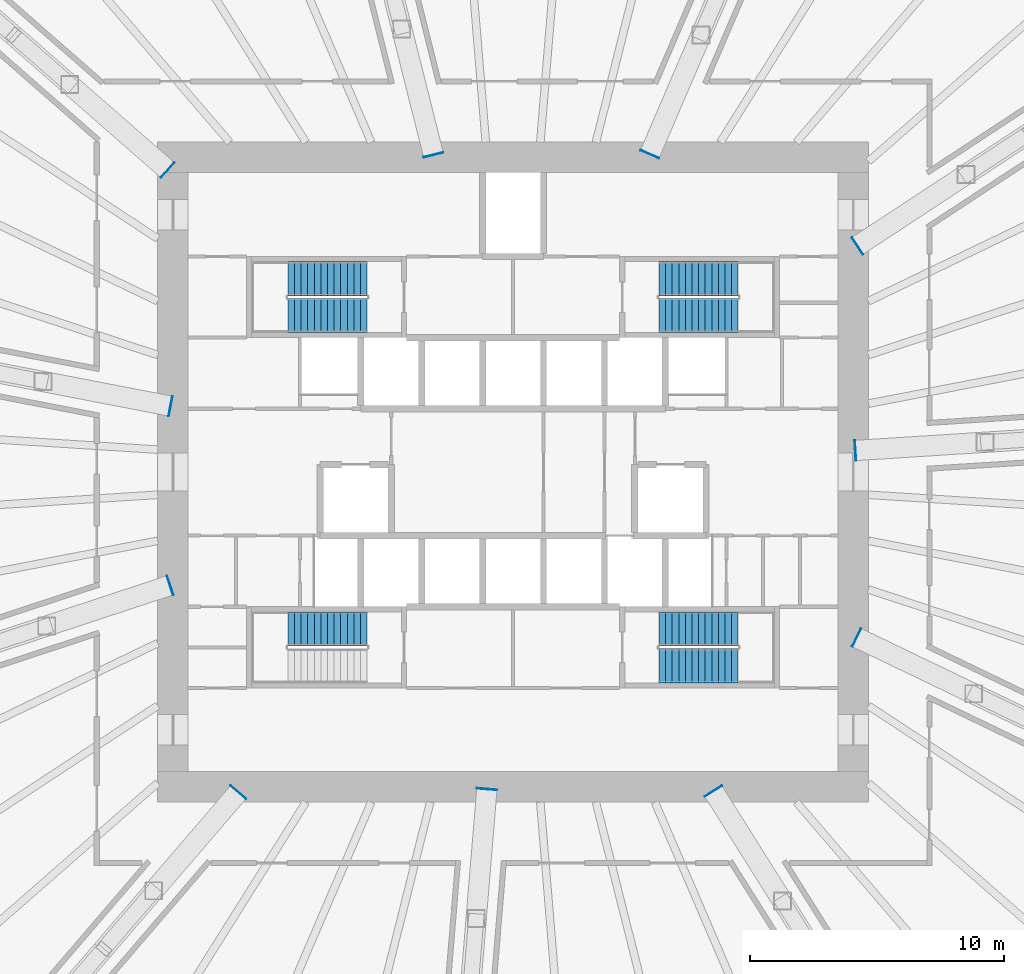
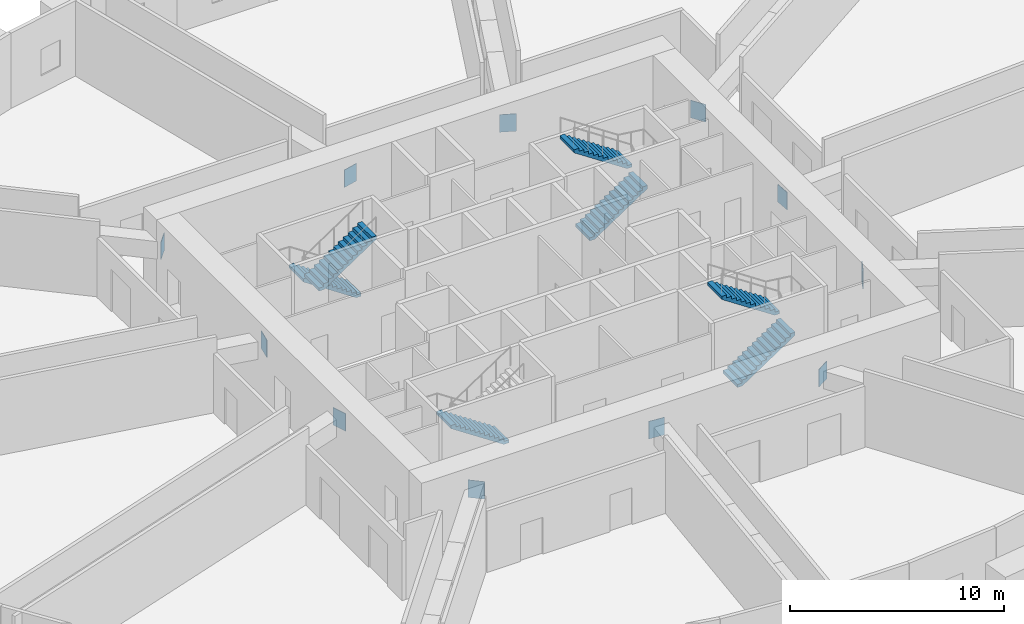
# One storey, part 13 of 14: 11 discrete accessories, 7 stair flights, 4 elements without a shape of their own.
"""IFC4 building model written with IfcOpenShell, lengths in metres."""

from ifc_helpers import new_model, si_unit, direction, frame, origin, origin_2d, place, context, subcontext, project, spatial, polyline, rectangle, outline, extrude, source, transform, mapped, material, type_object, element, aggregate, save


model = new_model("IFC4")

# Units and contexts
model_context = context("Model", 3, precision=1e-05, world=origin(), true_north=direction((0.0, 1.0)))
body_context = subcontext(model_context, "Body", "Model", "MODEL_VIEW")
ifc_project = project(units=[si_unit("LENGTHUNIT", "METRE"), si_unit("AREAUNIT", "SQUARE_METRE"), si_unit("VOLUMEUNIT", "CUBIC_METRE"), si_unit("PLANEANGLEUNIT", "RADIAN"), si_unit("MASSUNIT", "GRAM", prefix="KILO")], contexts=[model_context])

# Site, building, storey
site_placement = place(None, origin())
site = spatial("IfcSite", under=ifc_project, at=site_placement, CompositionType="ELEMENT")
building_placement = place(site_placement, origin())
building = spatial("IfcBuilding", under=site, at=building_placement, Name="Embergate Tower", CompositionType="ELEMENT")
storey_placement = place(building_placement, frame((0.0, 0.0, 101.0)))
storey = spatial("IfcBuildingStorey", under=building, at=storey_placement, Name="L21", CompositionType="ELEMENT", Elevation=101.0)

# Stair, stair flights
ifc_material_1 = material(Name="Exit stair")
stair_type = type_object("IfcStairType", Name="Exit stair", PredefinedType="HALF_TURN_STAIR", material=ifc_material_1)
stair_1_placement = place(storey_placement, origin())
stair_1 = element("IfcStair", 1, at=stair_1_placement, inside=storey, type_object=stair_type, Name="L21 Exit stair 1", PredefinedType="HALF_TURN_STAIR")
ifc_material_2 = material(Name="Concrete C40", Category="concrete")
stair_flight_type = type_object("IfcStairFlightType", Name="Stair flight reinforced concrete", PredefinedType="STRAIGHT", material=ifc_material_2)
shared_shape_1 = source(origin(), body_context, "Body", "SweptSolid", [
    extrude(outline(polyline([(0.0, 0.0), (0.0, 0.173095703125), (0.260009765625, 0.173095703125), (0.260009765625, 0.34619140625), (0.52001953125, 0.34619140625), (0.52001953125, 0.519287109375), (0.780029296875, 0.519287109375), (0.780029296875, 0.6923828125), (1.0400390625, 0.6923828125), (1.0400390625, 0.865478515625), (1.300048828125, 0.865478515625), (1.300048828125, 1.03857421875), (1.56005859375, 1.03857421875), (1.56005859375, 1.21142578125), (1.820068359375, 1.21142578125), (1.820068359375, 1.384521484375), (2.080078125, 1.384521484375), (2.080078125, 1.5576171875), (2.340087890625, 1.5576171875), (2.340087890625, 1.730712890625), (2.60009765625, 1.730712890625), (2.60009765625, 1.90380859375), (2.860107421875, 1.90380859375), (2.860107421875, 2.076904296875), (3.1201171875, 2.076904296875), (3.1201171875, 2.25), (3.1201171875, 1.896728515625), (0.2705078125, 0.0), (0.0, 0.0)])), frame((0.0, 0.675048828125, 0.0), z_axis=(0.0, -1.0, 0.0), x_axis=(1.0, 0.0, 0.0)), (0.0, 0.0, 1.0), 1.35009765625),
])
stair_flight_1_placement = place(storey_placement, frame((-5.75, 7.625, 0.0), z_axis=(0.0, 0.0, 1.0), x_axis=(-1.0, 0.0, 0.0)))
stair_flight_1 = element("IfcStairFlight", 2, at=stair_flight_1_placement, type_object=stair_flight_type, Name="ST1 flight 1", NumberOfRisers=13, NumberOfTreads=12, PredefinedType="STRAIGHT", RiserHeight=0.173076923, TreadLength=0.26, context=body_context, shape_type="MappedRepresentation", body=[
    mapped(shared_shape_1, transform((0.0, 0.0, 0.0))),
])
stair_flight_2_placement = place(storey_placement, frame((-8.8701171875, 6.175048828125, 2.25), z_axis=(0.0, 0.0, 1.0), x_axis=(1.0, 0.0, 0.0)))
stair_flight_2 = element("IfcStairFlight", 3, at=stair_flight_2_placement, type_object=stair_flight_type, Name="ST1 flight 2", NumberOfRisers=13, NumberOfTreads=12, PredefinedType="STRAIGHT", RiserHeight=0.173076923, TreadLength=0.26, context=body_context, shape_type="MappedRepresentation", body=[
    mapped(shared_shape_1, transform((0.0, 0.0, 0.0))),
])
aggregate(stair_1, [stair_flight_1, stair_flight_2])

stair_2_placement = place(storey_placement, origin())
stair_2 = element("IfcStair", 4, at=stair_2_placement, inside=storey, type_object=stair_type, Name="L21 Exit stair 2", PredefinedType="HALF_TURN_STAIR")
stair_flight_3_placement = place(storey_placement, frame((5.75, 6.175048828125, 0.0), z_axis=(0.0, 0.0, 1.0), x_axis=(1.0, 0.0, 0.0)))
stair_flight_3 = element("IfcStairFlight", 5, at=stair_flight_3_placement, type_object=stair_flight_type, Name="ST2 flight 1", NumberOfRisers=13, NumberOfTreads=12, PredefinedType="STRAIGHT", RiserHeight=0.173076923, TreadLength=0.26, context=body_context, shape_type="MappedRepresentation", body=[
    mapped(shared_shape_1, transform((0.0, 0.0, 0.0))),
])
stair_flight_4_placement = place(storey_placement, frame((8.8701171875, 7.625, 2.25), z_axis=(0.0, 0.0, 1.0), x_axis=(-1.0, 0.0, 0.0)))
stair_flight_4 = element("IfcStairFlight", 6, at=stair_flight_4_placement, type_object=stair_flight_type, Name="ST2 flight 2", NumberOfRisers=13, NumberOfTreads=12, PredefinedType="STRAIGHT", RiserHeight=0.173076923, TreadLength=0.26, context=body_context, shape_type="MappedRepresentation", body=[
    mapped(shared_shape_1, transform((0.0, 0.0, 0.0))),
])
aggregate(stair_2, [stair_flight_3, stair_flight_4])

# Stair, stair flight
stair_3_placement = place(storey_placement, origin())
stair_3 = element("IfcStair", 7, at=stair_3_placement, inside=storey, type_object=stair_type, Name="L21 Exit stair 3", PredefinedType="HALF_TURN_STAIR")
stair_flight_5_placement = place(storey_placement, frame((-5.75, -6.175048828125, 0.0), z_axis=(0.0, 0.0, 1.0), x_axis=(-1.0, 0.0, 0.0)))
stair_flight_5 = element("IfcStairFlight", 8, at=stair_flight_5_placement, type_object=stair_flight_type, Name="ST3 flight 1", NumberOfRisers=13, NumberOfTreads=12, PredefinedType="STRAIGHT", RiserHeight=0.173076923, TreadLength=0.26, context=body_context, shape_type="MappedRepresentation", body=[
    mapped(shared_shape_1, transform((0.0, 0.0, 0.0))),
])
aggregate(stair_3, [stair_flight_5])

# Stair, stair flights
stair_4_placement = place(storey_placement, origin())
stair_4 = element("IfcStair", 9, at=stair_4_placement, inside=storey, type_object=stair_type, Name="L21 Exit stair 4", PredefinedType="HALF_TURN_STAIR")
stair_flight_6_placement = place(storey_placement, frame((5.75, -7.625, 0.0), z_axis=(0.0, 0.0, 1.0), x_axis=(1.0, 0.0, 0.0)))
stair_flight_6 = element("IfcStairFlight", 10, at=stair_flight_6_placement, type_object=stair_flight_type, Name="ST4 flight 1", NumberOfRisers=13, NumberOfTreads=12, PredefinedType="STRAIGHT", RiserHeight=0.173076923, TreadLength=0.26, context=body_context, shape_type="MappedRepresentation", body=[
    mapped(shared_shape_1, transform((0.0, 0.0, 0.0))),
])
stair_flight_7_placement = place(storey_placement, frame((8.8701171875, -6.175048828125, 2.25), z_axis=(0.0, 0.0, 1.0), x_axis=(-1.0, 0.0, 0.0)))
stair_flight_7 = element("IfcStairFlight", 11, at=stair_flight_7_placement, type_object=stair_flight_type, Name="ST4 flight 2", NumberOfRisers=13, NumberOfTreads=12, PredefinedType="STRAIGHT", RiserHeight=0.173076923, TreadLength=0.26, context=body_context, shape_type="MappedRepresentation", body=[
    mapped(shared_shape_1, transform((0.0, 0.0, 0.0))),
])
aggregate(stair_4, [stair_flight_6, stair_flight_7])

# Discrete accessories
ifc_material_3 = material(Name="Steel Q355B plate with headed studs", Category="steel")
discrete_accessory_type = type_object("IfcDiscreteAccessoryType", Name="Cast-in embed plate with headed anchors 800x1000", PredefinedType="USERDEFINED", material=ifc_material_3)
shared_shape_2 = source(origin(), body_context, "Body", "SweptSolid", [
    extrude(rectangle(XDim=0.030029296875, YDim=0.800048828125, at=origin_2d()), origin(), (0.0, 0.0, 1.0), 1.0),
])
for number, where, z_axis, x_axis, name in (
    (12, (13.486083984375, 0.85595703125, 2.110107421875), (0.0, 0.0, 1.0), (0.997988185675, 0.063400167611, 0.0), "Cast-in embed plate"),
    (13, (13.570068359375, 8.916015625, 2.110107421875), (0.0, 0.0, 1.0), (0.83574027934, 0.549124927033, 0.0), "Cast-in embed plate"),
    (14, (5.385009765625, 12.527099609375, 2.110107421875), (0.0, 0.0, 1.0), (0.39487213999, 0.918736084553, 0.0), "Cast-in embed plate"),
    (15, (-3.137939453125, 12.5009765625, 2.110107421875), (0.0, 0.0, 1.0), (-0.243530373559, 0.969893271012, 0.0), "Cast-in embed plate"),
    (16, (-13.612060546875, 11.904052734375, 2.110107421875), (0.0, 0.0, 1.0), (-0.752748205198, 0.658308544355, 0.0), "Cast-in embed plate"),
    (17, (-13.493896484375, 2.60302734375, 2.110107421875), (0.0, 0.0, 1.0), (-0.981899258154, 0.189403925081, 0.0), "Cast-in embed plate"),
    (18, (-13.510986328125, -4.4560546875, 2.110107421875), (0.0, 0.0, 1.0), (-0.949693660318, -0.313180381813, 0.0), "Cast-in embed plate"),
    (19, (-10.826904296875, -12.60888671875, 2.110107421875), (0.0, 0.0, 1.0), (-0.651489524479, -0.758657629959, 0.0), "Cast-in embed plate"),
    (20, (-1.031982421875, -12.487060546875, 2.110107421875), (0.0, 0.0, 1.0), (-0.082303789799, -0.996607287844, 0.0), "Cast-in embed plate"),
    (21, (7.889892578125, -12.56396484375, 2.110107421875), (0.0, 0.0, 1.0), (0.531842058656, -0.846843565628, 0.0), "Cast-in embed plate"),
    (22, (13.535888671875, -6.511962890625, 2.110107421875), (0.0, 0.0, 1.0), (0.901152695386, -0.433501810375, 0.0), "Cast-in embed plate"),
):
    element("IfcDiscreteAccessory", number, at=place(storey_placement, frame(where, z_axis=z_axis, x_axis=x_axis)), inside=storey, type_object=discrete_accessory_type, Name=name, ObjectType="BRACKET", PredefinedType="USERDEFINED", context=body_context, shape_type="MappedRepresentation", body=[
        mapped(shared_shape_2, transform((0.0, 0.0, 0.0))),
    ])

save(model, "model.ifc")
